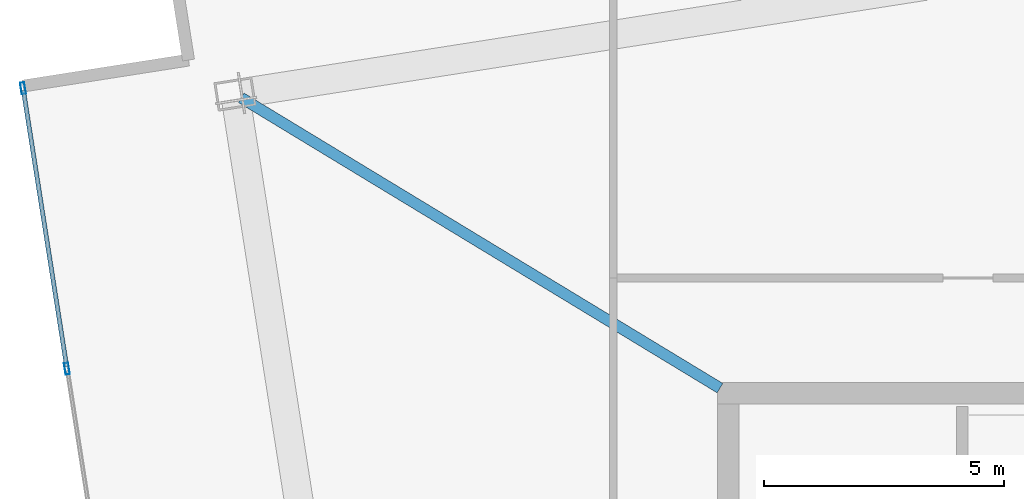
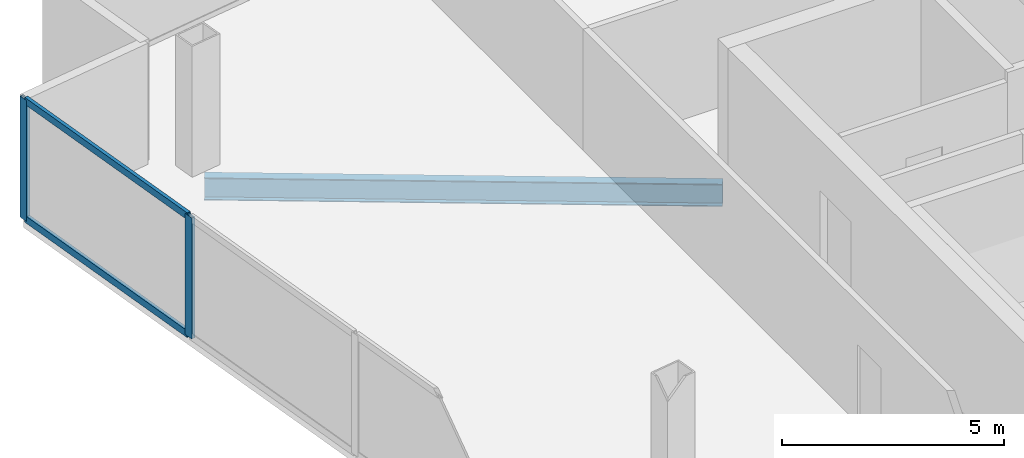
# One storey, part 9 of 17: 4 members, 1 beam, 1 element without a shape of its own.
"""IFC4 building model written with IfcOpenShell, lengths in metres."""

from ifc_helpers import new_model, si_unit, direction, frame, origin, origin_2d, place, context, subcontext, project, spatial, hollow_rectangle, i_section, extrude, material, material_profile, profile_set, type_object, element, aggregate, save


model = new_model("IFC4")

# Units and contexts
model_context = context("Model", 3, precision=1e-05, world=origin(), true_north=direction((0.0, 1.0)))
body_context = subcontext(model_context, "Body", "Model", "MODEL_VIEW")
ifc_project = project(units=[si_unit("LENGTHUNIT", "METRE"), si_unit("AREAUNIT", "SQUARE_METRE"), si_unit("VOLUMEUNIT", "CUBIC_METRE"), si_unit("PLANEANGLEUNIT", "RADIAN"), si_unit("MASSUNIT", "GRAM", prefix="KILO")], contexts=[model_context])

# Site, building, storey
site_placement = place(None, origin())
site = spatial("IfcSite", under=ifc_project, at=site_placement, CompositionType="ELEMENT")
building_placement = place(site_placement, origin())
building = spatial("IfcBuilding", under=site, at=building_placement, Name="Haldenkirk Collegiate Tower", CompositionType="ELEMENT")
storey_placement = place(building_placement, frame((0.0, 0.0, 364.199951171875)))
storey = spatial("IfcBuildingStorey", under=building, at=storey_placement, Name="L92", CompositionType="ELEMENT", Elevation=364.199951171875)

# Beam
ifc_material_1 = material(Name="Steel ASTM A992 Grade 50", Category="steel")
ifc_material_profile_1 = material_profile(ifc_material_1, i_section(OverallWidth=0.22998046875, OverallDepth=0.616943359375, WebThickness=0.01318359375, FlangeThickness=0.022216796875, at=origin_2d()), Name="W24X94")
ifc_profile_set_1 = profile_set([ifc_material_profile_1], Name="Steel ASTM A992 Grade 50")
beam_type = type_object("IfcBeamType", Name="BM-GIRDER-W24X94", PredefinedType="BEAM", material=ifc_profile_set_1)
beam_placement = place(storey_placement, frame((16.843505859375, 40.159912109375, -0.578369140625), z_axis=(0.855035491558, -0.518569482496, 0.0), x_axis=(0.518569482496, 0.855035491558, 0.0)))
element("IfcBeam", 1, at=beam_placement, inside=storey, type_object=beam_type, Name="L92 crown radial floor beam 5", PredefinedType="BEAM", context=body_context, shape_type="SweptSolid", body=[
    extrude(i_section(OverallWidth=0.22998046875, OverallDepth=0.616943359375, WebThickness=0.01318359375, FlangeThickness=0.022216796875, at=origin_2d()), origin(), (0.0, 0.0, 1.0), 11.678466796875),
])

# Curtain wall, members
ifc_material_2 = material(Name="Anodised architectural bronze aluminium", Category="aluminium")
curtain_wall_type = type_object("IfcCurtainWallType", Name="CW-SYS6-CROWN", PredefinedType="USERDEFINED", material=ifc_material_2)
curtain_wall_placement = place(storey_placement, origin())
curtain_wall = element("IfcCurtainWall", 2, at=curtain_wall_placement, inside=storey, type_object=curtain_wall_type, Name="L92 Closed crown ring ceramic-fritted bronze screen curtain wall", ObjectType="UNITISED CURTAIN WALL", PredefinedType="USERDEFINED")
ifc_material_profile_2 = material_profile(ifc_material_2, hollow_rectangle(XDim=0.090087890625, YDim=0.239990234375, WallThickness=0.0048828125, at=origin_2d()), Name="CW-MUL-06")
ifc_profile_set_2 = profile_set([ifc_material_profile_2], Name="Anodised architectural bronze aluminium")
member_type_1 = type_object("IfcMemberType", Name="CW-MUL-06", PredefinedType="MULLION", material=ifc_profile_set_2)
member_1_placement = place(storey_placement, frame((13.208984375, 34.509765625, 0.0), z_axis=(0.0, 0.0, 1.0), x_axis=(-0.987959532462, -0.154712514742, 0.0)))
member_1 = element("IfcMember", 3, at=member_1_placement, type_object=member_type_1, Name="CW-06 mullion 6", PredefinedType="MULLION", context=body_context, shape_type="SweptSolid", body=[
    extrude(hollow_rectangle(XDim=0.090087890625, YDim=0.239990234375, WallThickness=0.0048828125, at=origin_2d()), origin(), (0.0, 0.0, 1.0), 3.330078125),
])
member_2_placement = place(storey_placement, frame((12.29296875, 40.360107421875, 0.0), z_axis=(0.0, 0.0, 1.0), x_axis=(-0.987959532462, -0.154712514742, 0.0)))
member_2 = element("IfcMember", 4, at=member_2_placement, type_object=member_type_1, Name="CW-06 mullion 7", PredefinedType="MULLION", context=body_context, shape_type="SweptSolid", body=[
    extrude(hollow_rectangle(XDim=0.090087890625, YDim=0.239990234375, WallThickness=0.0048828125, at=origin_2d()), origin(), (0.0, 0.0, 1.0), 3.330078125),
])
ifc_material_profile_3 = material_profile(ifc_material_2, hollow_rectangle(XDim=0.090087890625, YDim=0.18994140625, WallThickness=0.0048828125, at=origin_2d()), Name="CW-TRN-06")
ifc_profile_set_3 = profile_set([ifc_material_profile_3], Name="Anodised architectural bronze aluminium")
member_type_2 = type_object("IfcMemberType", Name="CW-TRN-06", PredefinedType="USERDEFINED", material=ifc_profile_set_3)
member_3_placement = place(storey_placement, frame((13.2021484375, 34.55419921875, 0.045166015625), z_axis=(-0.154730622105, 0.987956696714, 0.0), x_axis=(-0.987956696714, -0.154730622105, 0.0)))
member_3 = element("IfcMember", 5, at=member_3_placement, type_object=member_type_2, Name="CW-06 transom 6.1", ObjectType="TRANSOM", PredefinedType="USERDEFINED", context=body_context, shape_type="SweptSolid", body=[
    extrude(hollow_rectangle(XDim=0.090087890625, YDim=0.18994140625, WallThickness=0.0048828125, at=origin_2d()), origin(), (0.0, 0.0, 1.0), 5.831787109375),
])
member_4_placement = place(storey_placement, frame((13.2021484375, 34.55419921875, 3.28515625), z_axis=(-0.154730622105, 0.987956696714, 0.0), x_axis=(-0.987956696714, -0.154730622105, 0.0)))
member_4 = element("IfcMember", 6, at=member_4_placement, type_object=member_type_2, Name="CW-06 transom 6.2", ObjectType="TRANSOM", PredefinedType="USERDEFINED", context=body_context, shape_type="SweptSolid", body=[
    extrude(hollow_rectangle(XDim=0.090087890625, YDim=0.18994140625, WallThickness=0.0048828125, at=origin_2d()), origin(), (0.0, 0.0, 1.0), 5.831787109375),
])
aggregate(curtain_wall, [member_1, member_2, member_3, member_4])

save(model, "model.ifc")
